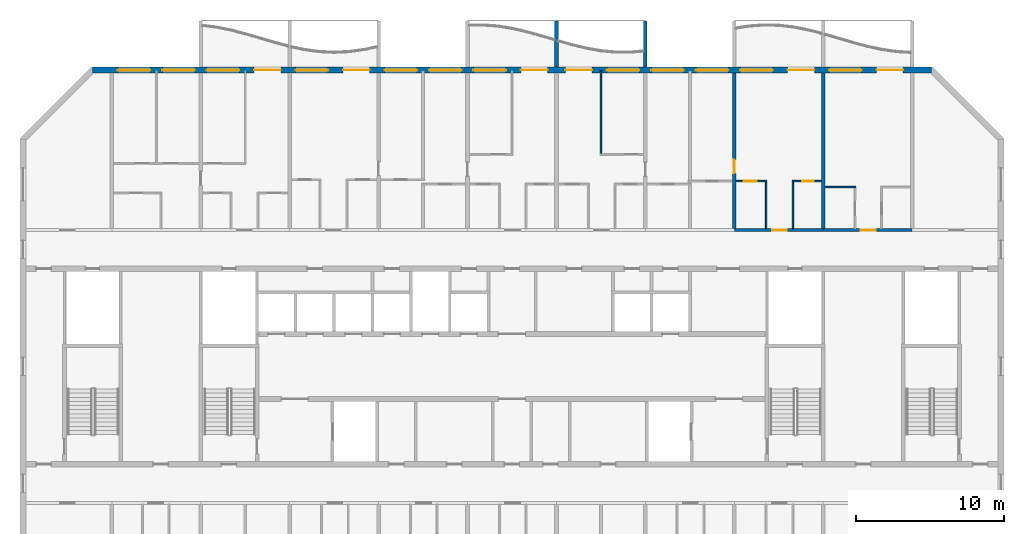
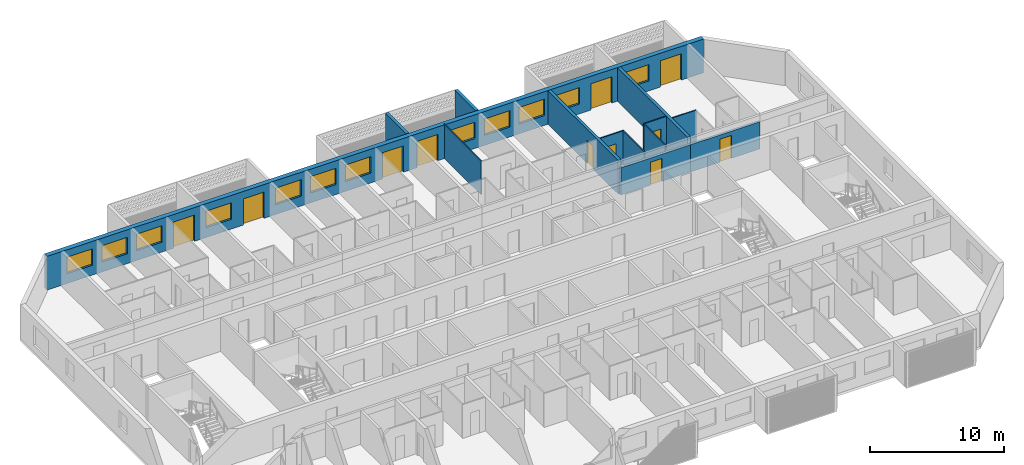
# One storey, part 10 of 27: 13 walls, 12 windows, 11 doors, 23 openings.
"""IFC4 building model written with IfcOpenShell, lengths in metres."""

import ifcopenshell
import ifcopenshell.guid

model = None  # the IFC model being written
_history = None  # IfcOwnerHistory: only IFC2X3 demands one
_inside = {}  # id of a spatial element -> (the spatial element, [elements in it])
_under = {}  # id of a project, library or spatial element -> (it, [spatial elements below it])
_declared = {}  # id of a project -> (the project, [libraries it declares])
_typed = {}  # id of a type object -> (the type object, [elements of that type])
_made_of = {}  # id of a material, layer set ... -> (it, [elements and type objects made of it])


def new_model(schema):
    """Start an empty IFC model of exactly this schema.

    Asked for "IFC4X3", IfcOpenShell would pick the latest addendum, in which some entities
    have other attributes; the version numbers below select the first issue.
    IFC2X3 requires an IfcOwnerHistory on every rooted entity: one is made here for all.
    """
    global model, _history
    if schema == "IFC4X3":
        model = ifcopenshell.file(schema_version=(4, 3, 0, 0))
    else:
        model = ifcopenshell.file(schema=schema)
    _inside.clear()
    _under.clear()
    _declared.clear()
    _typed.clear()
    _made_of.clear()
    _history = None
    if model.schema == "IFC2X3":
        org = make("IfcOrganization", Name="unknown")
        user = make(
            "IfcPersonAndOrganization",
            ThePerson=make("IfcPerson", FamilyName="unknown"),
            TheOrganization=org,
        )
        app = make(
            "IfcApplication",
            ApplicationDeveloper=org,
            Version="unknown",
            ApplicationFullName="unknown",
            ApplicationIdentifier="unknown",
        )
        _history = make(
            "IfcOwnerHistory",
            OwningUser=user,
            OwningApplication=app,
            ChangeAction="ADDED",
            CreationDate=0,
        )
    return model


def make(cls, **values):
    """One entity of the class cls with the attributes given. An attribute that is None is left unset."""
    return model.create_entity(
        cls, **{name: value for name, value in values.items() if value is not None}
    )


def rooted(cls, **values):
    """An entity with a GlobalId (a new one), such as an element, a storey or a relation."""
    return make(cls, GlobalId=ifcopenshell.guid.new(), OwnerHistory=_history, **values)


def si_unit(unit_type, name, prefix=None):
    """IfcSIUnit, for example si_unit("LENGTHUNIT", "METRE", prefix="MILLI")."""
    return make("IfcSIUnit", UnitType=unit_type, Prefix=prefix, Name=name)


def assignment(units):
    """IfcUnitAssignment: the units of a project."""
    return None if units is None else make("IfcUnitAssignment", Units=units)


def point(xyz):
    """IfcCartesianPoint."""
    return None if xyz is None else make("IfcCartesianPoint", Coordinates=xyz)


def direction(xyz):
    """IfcDirection."""
    return None if xyz is None else make("IfcDirection", DirectionRatios=xyz)


def frame(location, z_axis=None, x_axis=None):
    """IfcAxis2Placement3D, a coordinate frame: its origin and axes. An axis left out is left unset."""
    return make(
        "IfcAxis2Placement3D",
        Location=point(location),
        Axis=direction(z_axis),
        RefDirection=direction(x_axis),
    )


def frame_2d(location, x_axis=None):
    """IfcAxis2Placement2D, a coordinate frame in the plane: its origin and x axis."""
    return make(
        "IfcAxis2Placement2D", Location=point(location), RefDirection=direction(x_axis)
    )


def origin():
    """The frame at (0, 0, 0) with its axes left unset."""
    return frame((0.0, 0.0, 0.0))


def place(relative_to, where):
    """IfcLocalPlacement: puts the frame where relative to a parent placement (None: the world)."""
    return make(
        "IfcLocalPlacement", PlacementRelTo=relative_to, RelativePlacement=where
    )


def context(
    kind, dimensions, precision=None, world=None, true_north=None, identifier=None
):
    """IfcGeometricRepresentationContext, for example the 3D "Model" context."""
    return make(
        "IfcGeometricRepresentationContext",
        ContextIdentifier=identifier,
        ContextType=kind,
        CoordinateSpaceDimension=dimensions,
        Precision=precision,
        WorldCoordinateSystem=world,
        TrueNorth=true_north,
    )


def subcontext(parent, identifier, kind, view, scale=None):
    """IfcGeometricRepresentationSubContext, for example "Body" below "Model"."""
    return make(
        "IfcGeometricRepresentationSubContext",
        ContextIdentifier=identifier,
        ContextType=kind,
        ParentContext=parent,
        TargetScale=scale,
        TargetView=view,
    )


def project(units=None, contexts=None):
    """IfcProject with its units and contexts."""
    return rooted(
        "IfcProject",
        Name="project",
        RepresentationContexts=contexts,
        UnitsInContext=assignment(units),
    )


def spatial(cls, under=None, at=None, **own):
    """A site, building, storey or space (cls), placed at a placement, below another one or the project."""
    s = rooted(cls, ObjectPlacement=at, **own)
    if under is not None:
        _under.setdefault(under.id(), (under, []))[1].append(s)
    return s


def polyline(points):
    """IfcPolyline through the points."""
    return make("IfcPolyline", Points=[point(p) for p in points])


def profile(cls, at=None, kind="AREA", **sizes):
    """A parametric profile (cls). Its sizes go by their IFC names, for example OverallWidth=200.0."""
    return make(cls, ProfileType=kind, Position=at, **sizes)


def rectangle(**sizes):
    """IfcRectangleProfileDef."""
    return profile("IfcRectangleProfileDef", **sizes)


def outline(outer, holes=None, kind="AREA"):
    """IfcArbitraryClosedProfileDef: a profile drawn as a closed curve; with holes, ...WithVoids."""
    if holes is None:
        return make("IfcArbitraryClosedProfileDef", ProfileType=kind, OuterCurve=outer)
    return make(
        "IfcArbitraryProfileDefWithVoids",
        ProfileType=kind,
        OuterCurve=outer,
        InnerCurves=holes,
    )


def extrude(swept, where, along, depth):
    """IfcExtrudedAreaSolid: the profile swept, set in the frame where, extruded along a direction by depth."""
    return make(
        "IfcExtrudedAreaSolid",
        SweptArea=swept,
        Position=where,
        ExtrudedDirection=direction(along),
        Depth=depth,
    )


def shape(context_of_items, identifier, shape_type, items):
    """IfcShapeRepresentation: the items that make up one representation, for example the "Body"."""
    return make(
        "IfcShapeRepresentation",
        ContextOfItems=context_of_items,
        RepresentationIdentifier=identifier,
        RepresentationType=shape_type,
        Items=items,
    )


def source(mapping_origin, context_of_items, identifier, shape_type, items):
    """IfcRepresentationMap: a shape defined once, which mapped items show again and again."""
    return make(
        "IfcRepresentationMap",
        MappingOrigin=mapping_origin,
        MappedRepresentation=shape(context_of_items, identifier, shape_type, items),
    )


def transform(
    local_origin,
    x_axis=None,
    y_axis=None,
    z_axis=None,
    scale=None,
    scale2=None,
    scale3=None,
    uniform=True,
):
    """IfcCartesianTransformationOperator3D, or its non-uniform kind. x_axis, y_axis, z_axis: its Axis1, 2, 3."""
    if uniform:
        return make(
            "IfcCartesianTransformationOperator3D",
            Axis1=direction(x_axis),
            Axis2=direction(y_axis),
            LocalOrigin=point(local_origin),
            Scale=scale,
            Axis3=direction(z_axis),
        )
    return make(
        "IfcCartesianTransformationOperator3DnonUniform",
        Axis1=direction(x_axis),
        Axis2=direction(y_axis),
        LocalOrigin=point(local_origin),
        Scale=scale,
        Axis3=direction(z_axis),
        Scale2=scale2,
        Scale3=scale3,
    )


def mapped(mapping_source, mapping_target):
    """IfcMappedItem: shows the shape of a source again, moved by a transform."""
    return make(
        "IfcMappedItem", MappingSource=mapping_source, MappingTarget=mapping_target
    )


def material(Name=None, Category=None):
    """IfcMaterial."""
    return make("IfcMaterial", Name=Name, Category=Category)


def layer(
    of_material, thickness, ventilated=None, Name=None, Category=None, Priority=None
):
    """IfcMaterialLayer: one layer of a wall or slab, of a material (None: an air gap)."""
    return make(
        "IfcMaterialLayer",
        Material=of_material,
        LayerThickness=thickness,
        IsVentilated=ventilated,
        Name=Name,
        Category=Category,
        Priority=Priority,
    )


def layer_set(layers, Name=None):
    """IfcMaterialLayerSet."""
    return make("IfcMaterialLayerSet", MaterialLayers=layers, LayerSetName=Name)


def made_of(thing, what):
    """Note that an element or type object is made of a material, layer set ...; save() writes the relation."""
    if what is not None:
        _made_of.setdefault(what.id(), (what, []))[1].append(thing)
    return thing


def type_object(cls, material=None, **own):
    """A type object (cls), such as IfcWallType, which elements share."""
    return made_of(rooted(cls, **own), material)


def element(
    cls,
    number,
    at=None,
    inside=None,
    cuts=None,
    type_object=None,
    material=None,
    context=None,
    identifier="Body",
    shape_type=None,
    held_by="IfcProductDefinitionShape",
    body=None,
    shapes=None,
    **own,
):
    """One element of the class cls, such as IfcWall. Its Tag is "e" and its number.

    at: its placement. inside: the storey or other place that contains it. cuts: it is an
    opening in that element (IfcRelVoidsElement). A single representation is given by context,
    identifier, shape_type and body (its items); several are given by shapes. held_by: the class
    of the entity that holds the representations. save() writes the other relations.
    """
    e = rooted(cls, Tag="e%d" % number, ObjectPlacement=at, **own)
    if body is not None:
        shapes = [shape(context, identifier, shape_type, body)]
    if shapes is not None:
        e.Representation = make(held_by, Representations=shapes)
    if inside is not None:
        _inside.setdefault(inside.id(), (inside, []))[1].append(e)
    if cuts is not None:
        rooted(
            "IfcRelVoidsElement", RelatingBuildingElement=cuts, RelatedOpeningElement=e
        )
    if type_object is not None:
        _typed.setdefault(type_object.id(), (type_object, []))[1].append(e)
    return made_of(e, material)


def fill(opening, filler):
    """IfcRelFillsElement: the door or window that sits in an opening."""
    return rooted(
        "IfcRelFillsElement",
        RelatingOpeningElement=opening,
        RelatedBuildingElement=filler,
    )


def aggregate(whole, parts):
    """IfcRelAggregates: a whole, such as a stair, and the parts it consists of."""
    return rooted("IfcRelAggregates", RelatingObject=whole, RelatedObjects=parts)


def save(model, path):
    """Write the relations noted so far, then the file.

    IfcRelAggregates (storeys below a building ...), IfcRelContainedInSpatialStructure (elements
    in a storey), IfcRelDefinesByType, IfcRelAssociatesMaterial and IfcRelDeclares: one each for
    every whole, place, type object, material and project.
    """
    for whole, parts in _under.values():
        aggregate(whole, parts)
    for where, things in _inside.values():
        rooted(
            "IfcRelContainedInSpatialStructure",
            RelatedElements=things,
            RelatingStructure=where,
        )
    for kind, things in _typed.values():
        rooted("IfcRelDefinesByType", RelatedObjects=things, RelatingType=kind)
    for what, things in _made_of.values():
        rooted("IfcRelAssociatesMaterial", RelatedObjects=things, RelatingMaterial=what)
    for by, libraries in _declared.values():
        rooted("IfcRelDeclares", RelatingContext=by, RelatedDefinitions=libraries)
    model.write(path)


model = new_model("IFC4")

# Units and contexts
model_context = context("Model", 3, precision=1e-05, world=origin(), true_north=direction((0.0, 1.0)))
body_context = subcontext(model_context, "Body", "Model", "MODEL_VIEW")
ifc_project = project(units=[si_unit("LENGTHUNIT", "METRE"), si_unit("AREAUNIT", "SQUARE_METRE"), si_unit("VOLUMEUNIT", "CUBIC_METRE"), si_unit("PLANEANGLEUNIT", "RADIAN"), si_unit("MASSUNIT", "GRAM", prefix="KILO")], contexts=[model_context])

# Site, building, storey
site_placement = place(None, origin())
site = spatial("IfcSite", under=ifc_project, at=site_placement, CompositionType="ELEMENT")
building_placement = place(site_placement, origin())
building = spatial("IfcBuilding", under=site, at=building_placement, Name="Poui Terraces", CompositionType="ELEMENT")
storey_placement = place(building_placement, frame((0.0, 0.0, 251.10009765625)))
storey = spatial("IfcBuildingStorey", under=building, at=storey_placement, Name="L70", CompositionType="ELEMENT", Elevation=251.10009765625)

# Wall, opening, door
ifc_material_1 = material(Name="Concrete 50 MPa", Category="concrete")
ifc_layer_1 = layer(ifc_material_1, 0.199951171875)
ifc_layer_set_1 = layer_set([ifc_layer_1], Name="Concrete 50 MPa")
wall_type_1 = type_object("IfcWallType", Name="CORRIDOR WALL 200 50MPa", PredefinedType="SHEAR", material=ifc_layer_set_1)
wall_1_placement = place(storey_placement, frame((66.0, 30.39990234375, 0.0), z_axis=(0.0, 0.0, 1.0), x_axis=(1.0, 0.0, 0.0)))
wall_1 = element("IfcWall", 1, at=wall_1_placement, inside=storey, type_object=wall_type_1, Name="CORRIDOR WALL LINE E BAY 9", PredefinedType="SHEAR", context=body_context, shape_type="SweptSolid", body=[
    extrude(rectangle(XDim=6.0, YDim=0.199951171875, at=frame_2d((3.0, 0.0))), origin(), (0.0, 0.0, 1.0), 2.47998046875),
])
opening_1_placement = place(wall_1_placement, frame((2.550048828125, 0.0, 0.0)))
opening_1 = element("IfcOpeningElement", 2, at=opening_1_placement, cuts=wall_1, Name="Opening FD30S", PredefinedType="OPENING", context=body_context, shape_type="SweptSolid", body=[
    extrude(rectangle(XDim=1.0, YDim=2.10009765625, at=frame_2d((0.5, 1.050048828125))), frame((0.0, 0.10986328125, 0.0), z_axis=(0.0, -1.0, 0.0), x_axis=(1.0, 0.0, 0.0)), (0.0, 0.0, 1.0), 0.219970703125),
])
ifc_material_2 = material(Name="Steel fire door", Category="steel")
door_type_1 = type_object("IfcDoorType", Name="FLAT ENTRANCE DOOR 1000 X 2100", OperationType="NOTDEFINED", PredefinedType="DOOR", material=ifc_material_2)
door_1_placement = place(opening_1_placement, origin())
door_1 = element("IfcDoor", 3, at=door_1_placement, inside=storey, type_object=door_type_1, Name="FLAT ENTRANCE DOOR 055", OperationType="SINGLE_SWING_RIGHT", OverallHeight=2.10009765625, OverallWidth=1.0, PredefinedType="DOOR", context=body_context, shape_type="SweptSolid", body=[
    extrude(rectangle(XDim=1.0, YDim=2.10009765625, at=frame_2d((0.5, 1.050048828125))), frame((0.0, 0.02490234375, 0.0), z_axis=(0.0, -1.0, 0.0), x_axis=(1.0, 0.0, 0.0)), (0.0, 0.0, 1.0), 0.050048828125),
])
fill(opening_1, door_1)

wall_2_placement = place(storey_placement, frame((72.0, 30.39990234375, 0.0), z_axis=(0.0, 0.0, 1.0), x_axis=(1.0, 0.0, 0.0)))
wall_2 = element("IfcWall", 4, at=wall_2_placement, inside=storey, type_object=wall_type_1, Name="CORRIDOR WALL LINE E BAY 10", PredefinedType="SHEAR", context=body_context, shape_type="SweptSolid", body=[
    extrude(rectangle(XDim=6.0, YDim=0.199951171875, at=frame_2d((3.0, 0.0))), origin(), (0.0, 0.0, 1.0), 2.47998046875),
])
opening_2_placement = place(wall_2_placement, frame((2.550048828125, 0.0, 0.0)))
opening_2 = element("IfcOpeningElement", 5, at=opening_2_placement, cuts=wall_2, Name="Opening FD30S", PredefinedType="OPENING", context=body_context, shape_type="SweptSolid", body=[
    extrude(rectangle(XDim=1.0, YDim=2.10009765625, at=frame_2d((0.5, 1.050048828125))), frame((0.0, 0.10986328125, 0.0), z_axis=(0.0, -1.0, 0.0), x_axis=(1.0, 0.0, 0.0)), (0.0, 0.0, 1.0), 0.219970703125),
])
door_2_placement = place(opening_2_placement, origin())
door_2 = element("IfcDoor", 6, at=door_2_placement, inside=storey, type_object=door_type_1, Name="FLAT ENTRANCE DOOR 058", OperationType="SINGLE_SWING_RIGHT", OverallHeight=2.10009765625, OverallWidth=1.0, PredefinedType="DOOR", context=body_context, shape_type="SweptSolid", body=[
    extrude(rectangle(XDim=1.0, YDim=2.10009765625, at=frame_2d((0.5, 1.050048828125))), frame((0.0, 0.02490234375, 0.0), z_axis=(0.0, -1.0, 0.0), x_axis=(1.0, 0.0, 0.0)), (0.0, 0.0, 1.0), 0.050048828125),
])
fill(opening_2, door_2)

ifc_layer_2 = layer(ifc_material_1, 0.25)
ifc_layer_set_2 = layer_set([ifc_layer_2], Name="Concrete 50 MPa")
wall_type_2 = type_object("IfcWallType", Name="CROSS WALL 250 50MPa", PredefinedType="SHEAR", material=ifc_layer_set_2)
wall_3_placement = place(storey_placement, frame((66.0, 30.5, 0.0), z_axis=(0.0, 0.0, 1.0), x_axis=(0.0, 1.0, 0.0)))
wall_3 = element("IfcWall", 7, at=wall_3_placement, inside=storey, type_object=wall_type_2, Name="CROSS WALL LINE 12 NORTH", PredefinedType="SHEAR", context=body_context, shape_type="SweptSolid", body=[
    extrude(rectangle(XDim=10.5, YDim=0.25, at=frame_2d((5.25, 0.0))), origin(), (0.0, 0.0, 1.0), 3.079833984375),
])
opening_3_placement = place(wall_3_placement, frame((3.75, 0.0, 0.0)))
opening_3 = element("IfcOpeningElement", 8, at=opening_3_placement, cuts=wall_3, Name="Opening D90", PredefinedType="OPENING", context=body_context, shape_type="SweptSolid", body=[
    extrude(rectangle(XDim=0.89990234375, YDim=2.10009765625, at=frame_2d((0.449951171875, 1.050048828125))), frame((0.0, 0.135009765625, 0.0), z_axis=(0.0, -1.0, 0.0), x_axis=(1.0, 0.0, 0.0)), (0.0, 0.0, 1.0), 0.27001953125),
])
ifc_material_3 = material(Name="Solid core timber door", Category="wood")
door_type_2 = type_object("IfcDoorType", Name="INTERNAL DOOR 900 X 2100", OperationType="NOTDEFINED", PredefinedType="DOOR", material=ifc_material_3)
door_3_placement = place(opening_3_placement, origin())
door_3 = element("IfcDoor", 9, at=door_3_placement, inside=storey, type_object=door_type_2, Name="INTERNAL DOOR 053", OperationType="SINGLE_SWING_LEFT", OverallHeight=2.10009765625, OverallWidth=0.89990234375, PredefinedType="DOOR", context=body_context, shape_type="SweptSolid", body=[
    extrude(rectangle(XDim=0.89990234375, YDim=2.10009765625, at=frame_2d((0.449951171875, 1.050048828125))), frame((0.0, 0.02490234375, 0.0), z_axis=(0.0, -1.0, 0.0), x_axis=(1.0, 0.0, 0.0)), (0.0, 0.0, 1.0), 0.050048828125),
])
fill(opening_3, door_3)

# Wall
wall_4_placement = place(storey_placement, frame((72.0, 30.5, 0.0), z_axis=(0.0, 0.0, 1.0), x_axis=(0.0, 1.0, 0.0)))
element("IfcWall", 10, at=wall_4_placement, inside=storey, type_object=wall_type_2, Name="CROSS WALL LINE 13 NORTH", PredefinedType="SHEAR", context=body_context, shape_type="SweptSolid", body=[
    extrude(rectangle(XDim=10.5, YDim=0.25, at=frame_2d((5.25, 0.0))), origin(), (0.0, 0.0, 1.0), 3.079833984375),
])

# Wall, openings, doors, windows
ifc_material_4 = material(Name="Precast concrete 40 MPa", Category="concrete")
ifc_layer_3 = layer(ifc_material_4, 0.39990234375)
ifc_layer_set_3 = layer_set([ifc_layer_3], Name="Precast concrete 40 MPa")
wall_type_3 = type_object("IfcWallType", Name="EXTERNAL WALL 400", PredefinedType="STANDARD", material=ifc_layer_set_3)
wall_5_placement = place(storey_placement, frame((79.317138671875, 41.199951171875, 0.0), z_axis=(0.0, 0.0, 1.0), x_axis=(-1.0, 0.0, 0.0)))
wall_5 = element("IfcWall", 11, at=wall_5_placement, inside=storey, type_object=wall_type_3, Name="EXTERNAL WALL N", PredefinedType="STANDARD", context=body_context, shape_type="SweptSolid", body=[
    extrude(rectangle(XDim=56.63427734375, YDim=0.39990234375, at=frame_2d((28.317138671875, 0.0))), origin(), (0.0, 0.0, 1.0), 3.079833984375),
])
opening_4_placement = place(wall_5_placement, frame((52.71728515625, 0.0, 0.89990234375)))
opening_4 = element("IfcOpeningElement", 12, at=opening_4_placement, cuts=wall_5, Name="Opening W1", PredefinedType="OPENING", context=body_context, shape_type="SweptSolid", body=[
    extrude(rectangle(XDim=2.199951171875, YDim=1.5, at=frame_2d((1.10009765625, 0.75))), frame((0.0, 0.2099609375, 0.0), z_axis=(0.0, -1.0, 0.0), x_axis=(1.0, 0.0, 0.0)), (0.0, 0.0, 1.0), 0.419921875),
])
opening_5_placement = place(wall_5_placement, frame((49.71728515625, 0.0, 0.89990234375)))
opening_5 = element("IfcOpeningElement", 13, at=opening_5_placement, cuts=wall_5, Name="Opening W1", PredefinedType="OPENING", context=body_context, shape_type="SweptSolid", body=[
    extrude(rectangle(XDim=2.199951171875, YDim=1.5, at=frame_2d((1.10009765625, 0.75))), frame((0.0, 0.2099609375, 0.0), z_axis=(0.0, -1.0, 0.0), x_axis=(1.0, 0.0, 0.0)), (0.0, 0.0, 1.0), 0.419921875),
])
opening_6_placement = place(wall_5_placement, frame((46.71728515625, 0.0, 0.89990234375)))
opening_6 = element("IfcOpeningElement", 14, at=opening_6_placement, cuts=wall_5, Name="Opening W1", PredefinedType="OPENING", context=body_context, shape_type="SweptSolid", body=[
    extrude(rectangle(XDim=2.199951171875, YDim=1.5, at=frame_2d((1.10009765625, 0.75))), frame((0.0, 0.2099609375, 0.0), z_axis=(0.0, -1.0, 0.0), x_axis=(1.0, 0.0, 0.0)), (0.0, 0.0, 1.0), 0.419921875),
])
opening_7_placement = place(wall_5_placement, frame((43.917236328125, 0.0, 0.0)))
opening_7 = element("IfcOpeningElement", 15, at=opening_7_placement, cuts=wall_5, Name="Opening BD1", PredefinedType="OPENING", context=body_context, shape_type="SweptSolid", body=[
    extrude(rectangle(XDim=1.800048828125, YDim=2.39990234375, at=frame_2d((0.89990234375, 1.199951171875))), frame((0.0, 0.2099609375, 0.0), z_axis=(0.0, -1.0, 0.0), x_axis=(1.0, 0.0, 0.0)), (0.0, 0.0, 1.0), 0.419921875),
])
opening_8_placement = place(wall_5_placement, frame((40.71728515625, 0.0, 0.89990234375)))
opening_8 = element("IfcOpeningElement", 16, at=opening_8_placement, cuts=wall_5, Name="Opening W1", PredefinedType="OPENING", context=body_context, shape_type="SweptSolid", body=[
    extrude(rectangle(XDim=2.199951171875, YDim=1.5, at=frame_2d((1.10009765625, 0.75))), frame((0.0, 0.2099609375, 0.0), z_axis=(0.0, -1.0, 0.0), x_axis=(1.0, 0.0, 0.0)), (0.0, 0.0, 1.0), 0.419921875),
])
opening_9_placement = place(wall_5_placement, frame((37.917236328125, 0.0, 0.0)))
opening_9 = element("IfcOpeningElement", 17, at=opening_9_placement, cuts=wall_5, Name="Opening BD1", PredefinedType="OPENING", context=body_context, shape_type="SweptSolid", body=[
    extrude(rectangle(XDim=1.800048828125, YDim=2.39990234375, at=frame_2d((0.89990234375, 1.199951171875))), frame((0.0, 0.2099609375, 0.0), z_axis=(0.0, -1.0, 0.0), x_axis=(1.0, 0.0, 0.0)), (0.0, 0.0, 1.0), 0.419921875),
])
opening_10_placement = place(wall_5_placement, frame((34.71728515625, 0.0, 0.89990234375)))
opening_10 = element("IfcOpeningElement", 18, at=opening_10_placement, cuts=wall_5, Name="Opening W1", PredefinedType="OPENING", context=body_context, shape_type="SweptSolid", body=[
    extrude(rectangle(XDim=2.199951171875, YDim=1.5, at=frame_2d((1.10009765625, 0.75))), frame((0.0, 0.2099609375, 0.0), z_axis=(0.0, -1.0, 0.0), x_axis=(1.0, 0.0, 0.0)), (0.0, 0.0, 1.0), 0.419921875),
])
opening_11_placement = place(wall_5_placement, frame((31.71728515625, 0.0, 0.89990234375)))
opening_11 = element("IfcOpeningElement", 19, at=opening_11_placement, cuts=wall_5, Name="Opening W1", PredefinedType="OPENING", context=body_context, shape_type="SweptSolid", body=[
    extrude(rectangle(XDim=2.199951171875, YDim=1.5, at=frame_2d((1.10009765625, 0.75))), frame((0.0, 0.2099609375, 0.0), z_axis=(0.0, -1.0, 0.0), x_axis=(1.0, 0.0, 0.0)), (0.0, 0.0, 1.0), 0.419921875),
])
opening_12_placement = place(wall_5_placement, frame((28.71728515625, 0.0, 0.89990234375)))
opening_12 = element("IfcOpeningElement", 20, at=opening_12_placement, cuts=wall_5, Name="Opening W1", PredefinedType="OPENING", context=body_context, shape_type="SweptSolid", body=[
    extrude(rectangle(XDim=2.199951171875, YDim=1.5, at=frame_2d((1.10009765625, 0.75))), frame((0.0, 0.2099609375, 0.0), z_axis=(0.0, -1.0, 0.0), x_axis=(1.0, 0.0, 0.0)), (0.0, 0.0, 1.0), 0.419921875),
])
opening_13_placement = place(wall_5_placement, frame((25.917236328125, 0.0, 0.0)))
opening_13 = element("IfcOpeningElement", 21, at=opening_13_placement, cuts=wall_5, Name="Opening BD1", PredefinedType="OPENING", context=body_context, shape_type="SweptSolid", body=[
    extrude(rectangle(XDim=1.800048828125, YDim=2.39990234375, at=frame_2d((0.89990234375, 1.199951171875))), frame((0.0, 0.2099609375, 0.0), z_axis=(0.0, -1.0, 0.0), x_axis=(1.0, 0.0, 0.0)), (0.0, 0.0, 1.0), 0.419921875),
])
opening_14_placement = place(wall_5_placement, frame((22.917236328125, 0.0, 0.0)))
opening_14 = element("IfcOpeningElement", 22, at=opening_14_placement, cuts=wall_5, Name="Opening BD1", PredefinedType="OPENING", context=body_context, shape_type="SweptSolid", body=[
    extrude(rectangle(XDim=1.800048828125, YDim=2.39990234375, at=frame_2d((0.89990234375, 1.199951171875))), frame((0.0, 0.2099609375, 0.0), z_axis=(0.0, -1.0, 0.0), x_axis=(1.0, 0.0, 0.0)), (0.0, 0.0, 1.0), 0.419921875),
])
opening_15_placement = place(wall_5_placement, frame((19.71728515625, 0.0, 0.89990234375)))
opening_15 = element("IfcOpeningElement", 23, at=opening_15_placement, cuts=wall_5, Name="Opening W1", PredefinedType="OPENING", context=body_context, shape_type="SweptSolid", body=[
    extrude(rectangle(XDim=2.199951171875, YDim=1.5, at=frame_2d((1.10009765625, 0.75))), frame((0.0, 0.2099609375, 0.0), z_axis=(0.0, -1.0, 0.0), x_axis=(1.0, 0.0, 0.0)), (0.0, 0.0, 1.0), 0.419921875),
])
opening_16_placement = place(wall_5_placement, frame((16.71728515625, 0.0, 0.89990234375)))
opening_16 = element("IfcOpeningElement", 24, at=opening_16_placement, cuts=wall_5, Name="Opening W1", PredefinedType="OPENING", context=body_context, shape_type="SweptSolid", body=[
    extrude(rectangle(XDim=2.199951171875, YDim=1.5, at=frame_2d((1.10009765625, 0.75))), frame((0.0, 0.2099609375, 0.0), z_axis=(0.0, -1.0, 0.0), x_axis=(1.0, 0.0, 0.0)), (0.0, 0.0, 1.0), 0.419921875),
])
opening_17_placement = place(wall_5_placement, frame((13.71728515625, 0.0, 0.89990234375)))
opening_17 = element("IfcOpeningElement", 25, at=opening_17_placement, cuts=wall_5, Name="Opening W1", PredefinedType="OPENING", context=body_context, shape_type="SweptSolid", body=[
    extrude(rectangle(XDim=2.199951171875, YDim=1.5, at=frame_2d((1.10009765625, 0.75))), frame((0.0, 0.2099609375, 0.0), z_axis=(0.0, -1.0, 0.0), x_axis=(1.0, 0.0, 0.0)), (0.0, 0.0, 1.0), 0.419921875),
])
opening_18_placement = place(wall_5_placement, frame((10.71728515625, 0.0, 0.89990234375)))
opening_18 = element("IfcOpeningElement", 26, at=opening_18_placement, cuts=wall_5, Name="Opening W1", PredefinedType="OPENING", context=body_context, shape_type="SweptSolid", body=[
    extrude(rectangle(XDim=2.199951171875, YDim=1.5, at=frame_2d((1.10009765625, 0.75))), frame((0.0, 0.2099609375, 0.0), z_axis=(0.0, -1.0, 0.0), x_axis=(1.0, 0.0, 0.0)), (0.0, 0.0, 1.0), 0.419921875),
])
opening_19_placement = place(wall_5_placement, frame((7.917236328125, 0.0, 0.0)))
opening_19 = element("IfcOpeningElement", 27, at=opening_19_placement, cuts=wall_5, Name="Opening BD1", PredefinedType="OPENING", context=body_context, shape_type="SweptSolid", body=[
    extrude(rectangle(XDim=1.800048828125, YDim=2.39990234375, at=frame_2d((0.89990234375, 1.199951171875))), frame((0.0, 0.2099609375, 0.0), z_axis=(0.0, -1.0, 0.0), x_axis=(1.0, 0.0, 0.0)), (0.0, 0.0, 1.0), 0.419921875),
])
opening_20_placement = place(wall_5_placement, frame((4.71728515625, 0.0, 0.89990234375)))
opening_20 = element("IfcOpeningElement", 28, at=opening_20_placement, cuts=wall_5, Name="Opening W1", PredefinedType="OPENING", context=body_context, shape_type="SweptSolid", body=[
    extrude(rectangle(XDim=2.199951171875, YDim=1.5, at=frame_2d((1.10009765625, 0.75))), frame((0.0, 0.2099609375, 0.0), z_axis=(0.0, -1.0, 0.0), x_axis=(1.0, 0.0, 0.0)), (0.0, 0.0, 1.0), 0.419921875),
])
opening_21_placement = place(wall_5_placement, frame((1.917236328125, 0.0, 0.0)))
opening_21 = element("IfcOpeningElement", 29, at=opening_21_placement, cuts=wall_5, Name="Opening BD1", PredefinedType="OPENING", context=body_context, shape_type="SweptSolid", body=[
    extrude(rectangle(XDim=1.800048828125, YDim=2.39990234375, at=frame_2d((0.89990234375, 1.199951171875))), frame((0.0, 0.2099609375, 0.0), z_axis=(0.0, -1.0, 0.0), x_axis=(1.0, 0.0, 0.0)), (0.0, 0.0, 1.0), 0.419921875),
])
ifc_material_5 = material(Name="Clear glass in aluminium frame", Category="aluminium")
door_type_3 = type_object("IfcDoorType", Name="BALCONY DOOR 1800X2400", OperationType="DOUBLE_DOOR_SLIDING", PredefinedType="DOOR", material=ifc_material_5)
door_4_placement = place(opening_7_placement, origin())
door_4 = element("IfcDoor", 30, at=door_4_placement, inside=storey, type_object=door_type_3, Name="BD1 BALCONY DOOR", OperationType="DOUBLE_DOOR_SLIDING", OverallHeight=2.39990234375, OverallWidth=1.800048828125, PredefinedType="DOOR", context=body_context, shape_type="SweptSolid", body=[
    extrude(rectangle(XDim=1.800048828125, YDim=2.39990234375, at=frame_2d((0.89990234375, 1.199951171875))), frame((0.0, 0.02490234375, 0.0), z_axis=(0.0, -1.0, 0.0), x_axis=(1.0, 0.0, 0.0)), (0.0, 0.0, 1.0), 0.050048828125),
])
fill(opening_7, door_4)
door_5_placement = place(opening_9_placement, origin())
door_5 = element("IfcDoor", 31, at=door_5_placement, inside=storey, type_object=door_type_3, Name="BD1 BALCONY DOOR", OperationType="DOUBLE_DOOR_SLIDING", OverallHeight=2.39990234375, OverallWidth=1.800048828125, PredefinedType="DOOR", context=body_context, shape_type="SweptSolid", body=[
    extrude(rectangle(XDim=1.800048828125, YDim=2.39990234375, at=frame_2d((0.89990234375, 1.199951171875))), frame((0.0, 0.02490234375, 0.0), z_axis=(0.0, -1.0, 0.0), x_axis=(1.0, 0.0, 0.0)), (0.0, 0.0, 1.0), 0.050048828125),
])
fill(opening_9, door_5)
door_6_placement = place(opening_13_placement, origin())
door_6 = element("IfcDoor", 32, at=door_6_placement, inside=storey, type_object=door_type_3, Name="BD1 BALCONY DOOR", OperationType="DOUBLE_DOOR_SLIDING", OverallHeight=2.39990234375, OverallWidth=1.800048828125, PredefinedType="DOOR", context=body_context, shape_type="SweptSolid", body=[
    extrude(rectangle(XDim=1.800048828125, YDim=2.39990234375, at=frame_2d((0.89990234375, 1.199951171875))), frame((0.0, 0.02490234375, 0.0), z_axis=(0.0, -1.0, 0.0), x_axis=(1.0, 0.0, 0.0)), (0.0, 0.0, 1.0), 0.050048828125),
])
fill(opening_13, door_6)
door_7_placement = place(opening_14_placement, origin())
door_7 = element("IfcDoor", 33, at=door_7_placement, inside=storey, type_object=door_type_3, Name="BD1 BALCONY DOOR", OperationType="DOUBLE_DOOR_SLIDING", OverallHeight=2.39990234375, OverallWidth=1.800048828125, PredefinedType="DOOR", context=body_context, shape_type="SweptSolid", body=[
    extrude(rectangle(XDim=1.800048828125, YDim=2.39990234375, at=frame_2d((0.89990234375, 1.199951171875))), frame((0.0, 0.02490234375, 0.0), z_axis=(0.0, -1.0, 0.0), x_axis=(1.0, 0.0, 0.0)), (0.0, 0.0, 1.0), 0.050048828125),
])
fill(opening_14, door_7)
door_8_placement = place(opening_19_placement, origin())
door_8 = element("IfcDoor", 34, at=door_8_placement, inside=storey, type_object=door_type_3, Name="BD1 BALCONY DOOR", OperationType="DOUBLE_DOOR_SLIDING", OverallHeight=2.39990234375, OverallWidth=1.800048828125, PredefinedType="DOOR", context=body_context, shape_type="SweptSolid", body=[
    extrude(rectangle(XDim=1.800048828125, YDim=2.39990234375, at=frame_2d((0.89990234375, 1.199951171875))), frame((0.0, 0.02490234375, 0.0), z_axis=(0.0, -1.0, 0.0), x_axis=(1.0, 0.0, 0.0)), (0.0, 0.0, 1.0), 0.050048828125),
])
fill(opening_19, door_8)
door_9_placement = place(opening_21_placement, origin())
door_9 = element("IfcDoor", 35, at=door_9_placement, inside=storey, type_object=door_type_3, Name="BD1 BALCONY DOOR", OperationType="DOUBLE_DOOR_SLIDING", OverallHeight=2.39990234375, OverallWidth=1.800048828125, PredefinedType="DOOR", context=body_context, shape_type="SweptSolid", body=[
    extrude(rectangle(XDim=1.800048828125, YDim=2.39990234375, at=frame_2d((0.89990234375, 1.199951171875))), frame((0.0, 0.02490234375, 0.0), z_axis=(0.0, -1.0, 0.0), x_axis=(1.0, 0.0, 0.0)), (0.0, 0.0, 1.0), 0.050048828125),
])
fill(opening_21, door_9)
window_type = type_object("IfcWindowType", Name="WINDOW 2200X1500", PartitioningType="DOUBLE_PANEL_HORIZONTAL", PredefinedType="WINDOW", material=ifc_material_5)
window_1_placement = place(opening_4_placement, origin())
window_1 = element("IfcWindow", 36, at=window_1_placement, inside=storey, type_object=window_type, Name="W1 WINDOW", OverallHeight=1.5, OverallWidth=2.199951171875, PartitioningType="DOUBLE_PANEL_HORIZONTAL", PredefinedType="WINDOW", context=body_context, shape_type="SweptSolid", body=[
    extrude(rectangle(XDim=2.199951171875, YDim=1.5, at=frame_2d((1.10009765625, 0.75))), frame((0.0, 0.030029296875, 0.0), z_axis=(0.0, -1.0, 0.0), x_axis=(1.0, 0.0, 0.0)), (0.0, 0.0, 1.0), 0.06005859375),
])
fill(opening_4, window_1)
window_2_placement = place(opening_5_placement, origin())
window_2 = element("IfcWindow", 37, at=window_2_placement, inside=storey, type_object=window_type, Name="W1 WINDOW", OverallHeight=1.5, OverallWidth=2.199951171875, PartitioningType="DOUBLE_PANEL_HORIZONTAL", PredefinedType="WINDOW", context=body_context, shape_type="SweptSolid", body=[
    extrude(rectangle(XDim=2.199951171875, YDim=1.5, at=frame_2d((1.10009765625, 0.75))), frame((0.0, 0.030029296875, 0.0), z_axis=(0.0, -1.0, 0.0), x_axis=(1.0, 0.0, 0.0)), (0.0, 0.0, 1.0), 0.06005859375),
])
fill(opening_5, window_2)
window_3_placement = place(opening_6_placement, origin())
window_3 = element("IfcWindow", 38, at=window_3_placement, inside=storey, type_object=window_type, Name="W1 WINDOW", OverallHeight=1.5, OverallWidth=2.199951171875, PartitioningType="DOUBLE_PANEL_HORIZONTAL", PredefinedType="WINDOW", context=body_context, shape_type="SweptSolid", body=[
    extrude(rectangle(XDim=2.199951171875, YDim=1.5, at=frame_2d((1.10009765625, 0.75))), frame((0.0, 0.030029296875, 0.0), z_axis=(0.0, -1.0, 0.0), x_axis=(1.0, 0.0, 0.0)), (0.0, 0.0, 1.0), 0.06005859375),
])
fill(opening_6, window_3)
window_4_placement = place(opening_8_placement, origin())
window_4 = element("IfcWindow", 39, at=window_4_placement, inside=storey, type_object=window_type, Name="W1 WINDOW", OverallHeight=1.5, OverallWidth=2.199951171875, PartitioningType="DOUBLE_PANEL_HORIZONTAL", PredefinedType="WINDOW", context=body_context, shape_type="SweptSolid", body=[
    extrude(rectangle(XDim=2.199951171875, YDim=1.5, at=frame_2d((1.10009765625, 0.75))), frame((0.0, 0.030029296875, 0.0), z_axis=(0.0, -1.0, 0.0), x_axis=(1.0, 0.0, 0.0)), (0.0, 0.0, 1.0), 0.06005859375),
])
fill(opening_8, window_4)
window_5_placement = place(opening_10_placement, origin())
window_5 = element("IfcWindow", 40, at=window_5_placement, inside=storey, type_object=window_type, Name="W1 WINDOW", OverallHeight=1.5, OverallWidth=2.199951171875, PartitioningType="DOUBLE_PANEL_HORIZONTAL", PredefinedType="WINDOW", context=body_context, shape_type="SweptSolid", body=[
    extrude(rectangle(XDim=2.199951171875, YDim=1.5, at=frame_2d((1.10009765625, 0.75))), frame((0.0, 0.030029296875, 0.0), z_axis=(0.0, -1.0, 0.0), x_axis=(1.0, 0.0, 0.0)), (0.0, 0.0, 1.0), 0.06005859375),
])
fill(opening_10, window_5)
window_6_placement = place(opening_11_placement, origin())
window_6 = element("IfcWindow", 41, at=window_6_placement, inside=storey, type_object=window_type, Name="W1 WINDOW", OverallHeight=1.5, OverallWidth=2.199951171875, PartitioningType="DOUBLE_PANEL_HORIZONTAL", PredefinedType="WINDOW", context=body_context, shape_type="SweptSolid", body=[
    extrude(rectangle(XDim=2.199951171875, YDim=1.5, at=frame_2d((1.10009765625, 0.75))), frame((0.0, 0.030029296875, 0.0), z_axis=(0.0, -1.0, 0.0), x_axis=(1.0, 0.0, 0.0)), (0.0, 0.0, 1.0), 0.06005859375),
])
fill(opening_11, window_6)
window_7_placement = place(opening_12_placement, origin())
window_7 = element("IfcWindow", 42, at=window_7_placement, inside=storey, type_object=window_type, Name="W1 WINDOW", OverallHeight=1.5, OverallWidth=2.199951171875, PartitioningType="DOUBLE_PANEL_HORIZONTAL", PredefinedType="WINDOW", context=body_context, shape_type="SweptSolid", body=[
    extrude(rectangle(XDim=2.199951171875, YDim=1.5, at=frame_2d((1.10009765625, 0.75))), frame((0.0, 0.030029296875, 0.0), z_axis=(0.0, -1.0, 0.0), x_axis=(1.0, 0.0, 0.0)), (0.0, 0.0, 1.0), 0.06005859375),
])
fill(opening_12, window_7)
window_8_placement = place(opening_15_placement, origin())
window_8 = element("IfcWindow", 43, at=window_8_placement, inside=storey, type_object=window_type, Name="W1 WINDOW", OverallHeight=1.5, OverallWidth=2.199951171875, PartitioningType="DOUBLE_PANEL_HORIZONTAL", PredefinedType="WINDOW", context=body_context, shape_type="SweptSolid", body=[
    extrude(rectangle(XDim=2.199951171875, YDim=1.5, at=frame_2d((1.10009765625, 0.75))), frame((0.0, 0.030029296875, 0.0), z_axis=(0.0, -1.0, 0.0), x_axis=(1.0, 0.0, 0.0)), (0.0, 0.0, 1.0), 0.06005859375),
])
fill(opening_15, window_8)
window_9_placement = place(opening_16_placement, origin())
window_9 = element("IfcWindow", 44, at=window_9_placement, inside=storey, type_object=window_type, Name="W1 WINDOW", OverallHeight=1.5, OverallWidth=2.199951171875, PartitioningType="DOUBLE_PANEL_HORIZONTAL", PredefinedType="WINDOW", context=body_context, shape_type="SweptSolid", body=[
    extrude(rectangle(XDim=2.199951171875, YDim=1.5, at=frame_2d((1.10009765625, 0.75))), frame((0.0, 0.030029296875, 0.0), z_axis=(0.0, -1.0, 0.0), x_axis=(1.0, 0.0, 0.0)), (0.0, 0.0, 1.0), 0.06005859375),
])
fill(opening_16, window_9)
window_10_placement = place(opening_17_placement, origin())
window_10 = element("IfcWindow", 45, at=window_10_placement, inside=storey, type_object=window_type, Name="W1 WINDOW", OverallHeight=1.5, OverallWidth=2.199951171875, PartitioningType="DOUBLE_PANEL_HORIZONTAL", PredefinedType="WINDOW", context=body_context, shape_type="SweptSolid", body=[
    extrude(rectangle(XDim=2.199951171875, YDim=1.5, at=frame_2d((1.10009765625, 0.75))), frame((0.0, 0.030029296875, 0.0), z_axis=(0.0, -1.0, 0.0), x_axis=(1.0, 0.0, 0.0)), (0.0, 0.0, 1.0), 0.06005859375),
])
fill(opening_17, window_10)
window_11_placement = place(opening_18_placement, origin())
window_11 = element("IfcWindow", 46, at=window_11_placement, inside=storey, type_object=window_type, Name="W1 WINDOW", OverallHeight=1.5, OverallWidth=2.199951171875, PartitioningType="DOUBLE_PANEL_HORIZONTAL", PredefinedType="WINDOW", context=body_context, shape_type="SweptSolid", body=[
    extrude(rectangle(XDim=2.199951171875, YDim=1.5, at=frame_2d((1.10009765625, 0.75))), frame((0.0, 0.030029296875, 0.0), z_axis=(0.0, -1.0, 0.0), x_axis=(1.0, 0.0, 0.0)), (0.0, 0.0, 1.0), 0.06005859375),
])
fill(opening_18, window_11)
window_12_placement = place(opening_20_placement, origin())
window_12 = element("IfcWindow", 47, at=window_12_placement, inside=storey, type_object=window_type, Name="W1 WINDOW", OverallHeight=1.5, OverallWidth=2.199951171875, PartitioningType="DOUBLE_PANEL_HORIZONTAL", PredefinedType="WINDOW", context=body_context, shape_type="SweptSolid", body=[
    extrude(rectangle(XDim=2.199951171875, YDim=1.5, at=frame_2d((1.10009765625, 0.75))), frame((0.0, 0.030029296875, 0.0), z_axis=(0.0, -1.0, 0.0), x_axis=(1.0, 0.0, 0.0)), (0.0, 0.0, 1.0), 0.06005859375),
])
fill(opening_20, window_12)

# Wall
ifc_material_6 = material(Name="Plasterboard partition")
ifc_layer_4 = layer(ifc_material_6, 0.10009765625)
ifc_layer_set_4 = layer_set([ifc_layer_4], Name="Plasterboard partition")
wall_type_4 = type_object("IfcWallType", Name="FLAT PARTITION 100", PredefinedType="PARTITIONING", material=ifc_layer_set_4)
wall_6_placement = place(storey_placement, frame((72.135009765625, 33.300048828125, 0.0), z_axis=(0.0, 0.0, 1.0), x_axis=(1.0, 0.0, 0.0)))
element("IfcWall", 48, at=wall_6_placement, inside=storey, type_object=wall_type_4, Name="FLAT PARTITION 100", PredefinedType="PARTITIONING", context=body_context, shape_type="SweptSolid", body=[
    extrude(rectangle(XDim=2.06494140625, YDim=0.10009765625, at=frame_2d((1.032470703125, 0.0))), origin(), (0.0, 0.0, 1.0), 3.079833984375),
])

# Wall, opening, door
wall_7_placement = place(storey_placement, frame((66.135009765625, 33.699951171875, 0.0), z_axis=(0.0, 0.0, 1.0), x_axis=(1.0, 0.0, 0.0)))
wall_7 = element("IfcWall", 49, at=wall_7_placement, inside=storey, type_object=wall_type_4, Name="FLAT PARTITION 100", PredefinedType="PARTITIONING", context=body_context, shape_type="SweptSolid", body=[
    extrude(rectangle(XDim=2.06494140625, YDim=0.10009765625, at=frame_2d((1.032470703125, 0.0))), origin(), (0.0, 0.0, 1.0), 3.079833984375),
])
opening_22_placement = place(wall_7_placement, frame((0.489990234375, 0.0, 0.0)))
opening_22 = element("IfcOpeningElement", 50, at=opening_22_placement, cuts=wall_7, Name="Opening D90", PredefinedType="OPENING", context=body_context, shape_type="SweptSolid", body=[
    extrude(rectangle(XDim=0.89990234375, YDim=2.10009765625, at=frame_2d((0.449951171875, 1.050048828125))), frame((0.0, 0.06005859375, 0.0), z_axis=(0.0, -1.0, 0.0), x_axis=(1.0, 0.0, 0.0)), (0.0, 0.0, 1.0), 0.1201171875),
])
door_10_placement = place(opening_22_placement, frame((0.89990234375, 0.0, 0.0), z_axis=(0.0, 0.0, 1.0), x_axis=(-1.0, 0.0, 0.0)))
door_10 = element("IfcDoor", 51, at=door_10_placement, inside=storey, type_object=door_type_2, Name="INTERNAL DOOR 054", OperationType="SINGLE_SWING_RIGHT", OverallHeight=2.10009765625, OverallWidth=0.89990234375, PredefinedType="DOOR", context=body_context, shape_type="SweptSolid", body=[
    extrude(rectangle(XDim=0.89990234375, YDim=2.10009765625, at=frame_2d((0.449951171875, 1.050048828125))), frame((0.0, 0.02490234375, 0.0), z_axis=(0.0, -1.0, 0.0), x_axis=(1.0, 0.0, 0.0)), (0.0, 0.0, 1.0), 0.050048828125),
])
fill(opening_22, door_10)

wall_8_placement = place(storey_placement, frame((69.89990234375, 33.699951171875, 0.0), z_axis=(0.0, 0.0, 1.0), x_axis=(1.0, 0.0, 0.0)))
wall_8 = element("IfcWall", 52, at=wall_8_placement, inside=storey, type_object=wall_type_4, Name="FLAT PARTITION 100", PredefinedType="PARTITIONING", context=body_context, shape_type="SweptSolid", body=[
    extrude(rectangle(XDim=1.965087890625, YDim=0.10009765625, at=frame_2d((0.982421875, 0.0))), origin(), (0.0, 0.0, 1.0), 3.079833984375),
])
opening_23_placement = place(wall_8_placement, frame((0.675048828125, 0.0, 0.0)))
opening_23 = element("IfcOpeningElement", 53, at=opening_23_placement, cuts=wall_8, Name="Opening D80", PredefinedType="OPENING", context=body_context, shape_type="SweptSolid", body=[
    extrude(rectangle(XDim=0.800048828125, YDim=2.10009765625, at=frame_2d((0.39990234375, 1.050048828125))), frame((0.0, 0.06005859375, 0.0), z_axis=(0.0, -1.0, 0.0), x_axis=(1.0, 0.0, 0.0)), (0.0, 0.0, 1.0), 0.1201171875),
])
door_type_4 = type_object("IfcDoorType", Name="BATHROOM, LAUNDRY AND STORE DOOR 800 X 2100", OperationType="NOTDEFINED", PredefinedType="DOOR", material=ifc_material_3)
door_11_placement = place(opening_23_placement, frame((0.800048828125, 0.0, 0.0), z_axis=(0.0, 0.0, 1.0), x_axis=(-1.0, 0.0, 0.0)))
door_11 = element("IfcDoor", 54, at=door_11_placement, inside=storey, type_object=door_type_4, Name="BATHROOM, LAUNDRY AND STORE DOOR 056", OperationType="SINGLE_SWING_LEFT", OverallHeight=2.10009765625, OverallWidth=0.800048828125, PredefinedType="DOOR", context=body_context, shape_type="SweptSolid", body=[
    extrude(rectangle(XDim=0.800048828125, YDim=2.10009765625, at=frame_2d((0.39990234375, 1.050048828125))), frame((0.0, 0.02490234375, 0.0), z_axis=(0.0, -1.0, 0.0), x_axis=(1.0, 0.0, 0.0)), (0.0, 0.0, 1.0), 0.050048828125),
])
fill(opening_23, door_11)

# Walls
wall_9_placement = place(storey_placement, frame((57.0, 35.550048828125, 0.0), z_axis=(0.0, 0.0, 1.0), x_axis=(0.0, 1.0, 0.0)))
element("IfcWall", 55, at=wall_9_placement, inside=storey, type_object=wall_type_4, Name="FLAT PARTITION 100", PredefinedType="PARTITIONING", context=body_context, shape_type="SweptSolid", body=[
    extrude(rectangle(XDim=5.58984375, YDim=0.10009765625, at=frame_2d((2.794921875, 0.0))), origin(), (0.0, 0.0, 1.0), 3.079833984375),
])
for number, where, z_axis, x_axis, name in (
    (56, (68.14990234375, 30.510009765625, 0.0), (0.0, 0.0, 1.0), (0.0, 1.0, 0.0), "FLAT PARTITION 100"),
    (57, (69.949951171875, 30.510009765625, 0.0), (0.0, 0.0, 1.0), (0.0, 1.0, 0.0), "FLAT PARTITION 100"),
):
    element("IfcWall", number, at=place(storey_placement, frame(where, z_axis=z_axis, x_axis=x_axis)), inside=storey, type_object=wall_type_4, Name=name, PredefinedType="PARTITIONING", context=body_context, shape_type="SweptSolid", body=[
        extrude(rectangle(XDim=3.139892578125, YDim=0.10009765625, at=frame_2d((1.56982421875, 0.0))), origin(), (0.0, 0.0, 1.0), 3.079833984375),
    ])
ifc_layer_5 = layer(ifc_material_4, 0.25)
ifc_layer_set_5 = layer_set([ifc_layer_5], Name="Precast concrete 40 MPa")
wall_type_5 = type_object("IfcWallType", Name="BALCONY FIN 250", PredefinedType="STANDARD", material=ifc_layer_set_5)
shared_shape = source(origin(), body_context, "Body", "SweptSolid", [
    extrude(outline(polyline([(0.0, 0.0), (0.25, 0.0), (0.25, 3.10009765625), (0.0, 3.10009765625), (0.0, 0.0)])), origin(), (0.0, 0.0, 1.0), 3.099853515625),
])
for number, where, name in (
    (58, (53.875, 41.39990234375, 0.0), "BALCONY FIN"),
    (59, (59.875, 41.39990234375, 0.0), "BALCONY FIN"),
):
    element("IfcWall", number, at=place(storey_placement, frame(where)), inside=storey, type_object=wall_type_5, Name=name, PredefinedType="STANDARD", context=body_context, shape_type="MappedRepresentation", body=[
        mapped(shared_shape, transform((0.0, 0.0, 0.0))),
    ])

save(model, "model.ifc")
